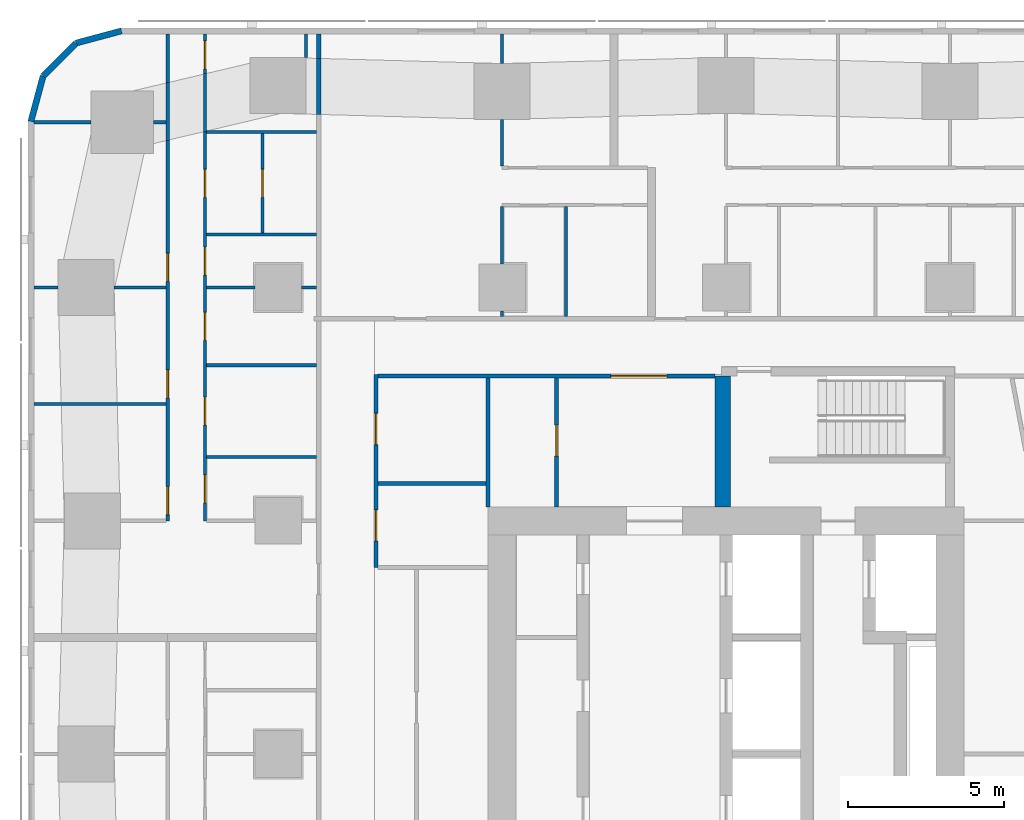
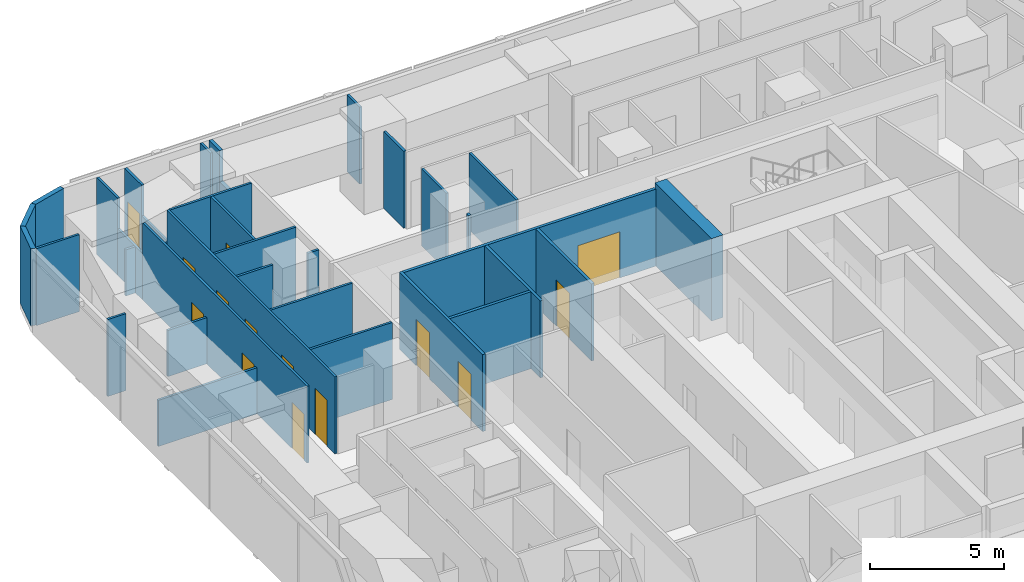
# One storey, part 9 of 15: 35 walls, 14 doors, 14 openings.
"""IFC4 building model written with IfcOpenShell, lengths in metres."""

from ifc_helpers import new_model, si_unit, direction, frame, frame_2d, origin, place, context, subcontext, project, spatial, rectangle, extrude, material, layer, layer_set, type_object, element, fill, save


model = new_model("IFC4")

# Units and contexts
model_context = context("Model", 3, precision=1e-05, world=origin(), true_north=direction((0.0, 1.0)))
body_context = subcontext(model_context, "Body", "Model", "MODEL_VIEW")
ifc_project = project(units=[si_unit("LENGTHUNIT", "METRE"), si_unit("AREAUNIT", "SQUARE_METRE"), si_unit("VOLUMEUNIT", "CUBIC_METRE"), si_unit("PLANEANGLEUNIT", "RADIAN"), si_unit("MASSUNIT", "GRAM", prefix="KILO")], contexts=[model_context])

# Site, building, storey
site_placement = place(None, origin())
site = spatial("IfcSite", under=ifc_project, at=site_placement, CompositionType="ELEMENT")
building_placement = place(site_placement, origin())
building = spatial("IfcBuilding", under=site, at=building_placement, Name="Sheger Commons Tower", CompositionType="ELEMENT")
storey_placement = place(building_placement, frame((0.0, 0.0, 162.050048828125)))
storey = spatial("IfcBuildingStorey", under=building, at=storey_placement, Name="L41", CompositionType="ELEMENT", Elevation=162.050048828125)

# Walls
ifc_material_1 = material(Name="Hollow concrete block masonry, skimmed both sides", Category="masonry")
ifc_layer_1 = layer(ifc_material_1, 0.14990234375)
ifc_layer_set_1 = layer_set([ifc_layer_1], Name="CORRIDOR WALL 150")
wall_type_1 = type_object("IfcWallType", Name="CORRIDOR WALL 150", PredefinedType="SOLIDWALL", material=ifc_layer_set_1)
wall_1_placement = place(storey_placement, frame((8.5, 43.06103515625, 0.0), z_axis=(0.0, 0.0, 1.0), x_axis=(0.0, 1.0, 0.0)))
element("IfcWall", 1, at=wall_1_placement, inside=storey, type_object=wall_type_1, Name="Corridor wall L41", PredefinedType="SOLIDWALL", context=body_context, shape_type="SweptSolid", body=[
    extrude(rectangle(XDim=1.804931640625, YDim=0.14990234375, at=frame_2d((0.90234375, 0.0))), origin(), (0.0, 0.0, 1.0), 2.099853515625),
])
wall_2_placement = place(storey_placement, frame((8.5, 44.865966796875, 0.0), z_axis=(0.0, 0.0, 1.0), x_axis=(0.0, 1.0, 0.0)))
element("IfcWall", 2, at=wall_2_placement, inside=storey, type_object=wall_type_1, Name="Corridor wall L41", PredefinedType="SOLIDWALL", context=body_context, shape_type="SweptSolid", body=[
    extrude(rectangle(XDim=0.783935546875, YDim=0.14990234375, at=frame_2d((0.39208984375, 0.0))), origin(), (0.0, 0.0, 1.0), 3.5),
])
ifc_material_2 = material(Name="Rendered concrete block masonry, dark grey", Category="masonry")
ifc_layer_2 = layer(ifc_material_2, 0.199951171875)
ifc_layer_set_2 = layer_set([ifc_layer_2], Name="FACADE WALL 200")
wall_type_2 = type_object("IfcWallType", Name="FACADE WALL 200", PredefinedType="SOLIDWALL", material=ifc_layer_set_2)
wall_3_placement = place(storey_placement, frame((2.1630859375, 45.75, 0.0), z_axis=(0.0, 0.0, 1.0), x_axis=(-0.965832000415, -0.259168954497, 0.0)))
element("IfcWall", 3, at=wall_3_placement, inside=storey, type_object=wall_type_2, Name="Facade wall L41", PredefinedType="SOLIDWALL", context=body_context, shape_type="SweptSolid", body=[
    extrude(rectangle(XDim=1.512939453125, YDim=0.199951171875, at=frame_2d((0.75634765625, 0.0))), origin(), (0.0, 0.0, 1.0), 3.5),
])
wall_4_placement = place(storey_placement, frame((0.701904296875, 45.35791015625, 0.0), z_axis=(0.0, 0.0, 1.0), x_axis=(-0.707106781187, -0.707106781187, 0.0)))
element("IfcWall", 4, at=wall_4_placement, inside=storey, type_object=wall_type_2, Name="Facade wall L41", PredefinedType="SOLIDWALL", context=body_context, shape_type="SweptSolid", body=[
    extrude(rectangle(XDim=1.498779296875, YDim=0.199951171875, at=frame_2d((0.74951171875, 0.0))), origin(), (0.0, 0.0, 1.0), 3.5),
])
wall_5_placement = place(storey_placement, frame((-0.35791015625, 44.298095703125, 0.0), z_axis=(0.0, 0.0, 1.0), x_axis=(-0.259168954497, -0.965832000415, 0.0)))
element("IfcWall", 5, at=wall_5_placement, inside=storey, type_object=wall_type_2, Name="Facade wall L41", PredefinedType="SOLIDWALL", context=body_context, shape_type="SweptSolid", body=[
    extrude(rectangle(XDim=1.512939453125, YDim=0.199951171875, at=frame_2d((0.75634765625, 0.0))), origin(), (0.0, 0.0, 1.0), 3.5),
])
ifc_material_3 = material(Name="Gypsum board on steel studs", Category="steel")
ifc_layer_3 = layer(ifc_material_3, 0.10009765625)
ifc_layer_set_3 = layer_set([ifc_layer_3], Name="PARTITION 100")
wall_type_3 = type_object("IfcWallType", Name="PARTITION 100", PredefinedType="PARTITIONING", material=ifc_layer_set_3)
wall_6_placement = place(storey_placement, frame((8.10009765625, 45.64990234375, 0.0), z_axis=(0.0, 0.0, 1.0), x_axis=(0.0, -1.0, 0.0)))
element("IfcWall", 6, at=wall_6_placement, inside=storey, type_object=wall_type_3, Name="Partition L41", PredefinedType="PARTITIONING", context=body_context, shape_type="SweptSolid", body=[
    extrude(rectangle(XDim=0.7490234375, YDim=0.10009765625, at=frame_2d((0.37451171875, 0.0))), origin(), (0.0, 0.0, 1.0), 3.5),
])

# Wall, openings, doors
wall_7_placement = place(storey_placement, frame((3.64990234375, 30.0, 0.0), z_axis=(0.0, 0.0, 1.0), x_axis=(0.0, 1.0, 0.0)))
wall_7 = element("IfcWall", 7, at=wall_7_placement, inside=storey, type_object=wall_type_3, Name="Partition L41", PredefinedType="PARTITIONING", context=body_context, shape_type="SweptSolid", body=[
    extrude(rectangle(XDim=12.22412109375, YDim=0.10009765625, at=frame_2d((6.112060546875, 0.0))), origin(), (0.0, 0.0, 1.0), 3.5),
])
opening_1_placement = place(wall_7_placement, frame((0.199951171875, 0.0, 0.0)))
opening_1 = element("IfcOpeningElement", 8, at=opening_1_placement, cuts=wall_7, Name="Opening D2", PredefinedType="OPENING", context=body_context, shape_type="SweptSolid", body=[
    extrude(rectangle(XDim=0.89990234375, YDim=2.10009765625, at=frame_2d((0.449951171875, 1.050048828125))), frame((0.0, 0.06005859375, 0.0), z_axis=(0.0, -1.0, 0.0), x_axis=(1.0, 0.0, 0.0)), (0.0, 0.0, 1.0), 0.1201171875),
])
opening_2_placement = place(wall_7_placement, frame((3.949951171875, 0.0, 0.0)))
opening_2 = element("IfcOpeningElement", 9, at=opening_2_placement, cuts=wall_7, Name="Opening D2", PredefinedType="OPENING", context=body_context, shape_type="SweptSolid", body=[
    extrude(rectangle(XDim=0.89990234375, YDim=2.10009765625, at=frame_2d((0.449951171875, 1.050048828125))), frame((0.0, 0.06005859375, 0.0), z_axis=(0.0, -1.0, 0.0), x_axis=(1.0, 0.0, 0.0)), (0.0, 0.0, 1.0), 0.1201171875),
])
opening_3_placement = place(wall_7_placement, frame((7.699951171875, 0.0, 0.0)))
opening_3 = element("IfcOpeningElement", 10, at=opening_3_placement, cuts=wall_7, Name="Opening D2", PredefinedType="OPENING", context=body_context, shape_type="SweptSolid", body=[
    extrude(rectangle(XDim=0.89990234375, YDim=2.10009765625, at=frame_2d((0.449951171875, 1.050048828125))), frame((0.0, 0.06005859375, 0.0), z_axis=(0.0, -1.0, 0.0), x_axis=(1.0, 0.0, 0.0)), (0.0, 0.0, 1.0), 0.1201171875),
])
ifc_material_4 = material(Name="Timber door set", Category="wood")
door_type_1 = type_object("IfcDoorType", Name="INTERNAL DOOR 900x2100", OperationType="NOTDEFINED", PredefinedType="DOOR", material=ifc_material_4)
door_1_placement = place(opening_1_placement, origin())
door_1 = element("IfcDoor", 11, at=door_1_placement, inside=storey, type_object=door_type_1, Name="Main bedroom door", OperationType="SINGLE_SWING_LEFT", OverallHeight=2.10009765625, OverallWidth=0.89990234375, PredefinedType="DOOR", context=body_context, shape_type="SweptSolid", body=[
    extrude(rectangle(XDim=0.89990234375, YDim=2.10009765625, at=frame_2d((0.449951171875, 1.050048828125))), frame((0.0, 0.02490234375, 0.0), z_axis=(0.0, -1.0, 0.0), x_axis=(1.0, 0.0, 0.0)), (0.0, 0.0, 1.0), 0.050048828125),
])
fill(opening_1, door_1)
door_2_placement = place(opening_2_placement, origin())
door_2 = element("IfcDoor", 12, at=door_2_placement, inside=storey, type_object=door_type_1, Name="Bedroom 2 door", OperationType="SINGLE_SWING_LEFT", OverallHeight=2.10009765625, OverallWidth=0.89990234375, PredefinedType="DOOR", context=body_context, shape_type="SweptSolid", body=[
    extrude(rectangle(XDim=0.89990234375, YDim=2.10009765625, at=frame_2d((0.449951171875, 1.050048828125))), frame((0.0, 0.02490234375, 0.0), z_axis=(0.0, -1.0, 0.0), x_axis=(1.0, 0.0, 0.0)), (0.0, 0.0, 1.0), 0.050048828125),
])
fill(opening_2, door_2)
door_3_placement = place(opening_3_placement, origin())
door_3 = element("IfcDoor", 13, at=door_3_placement, inside=storey, type_object=door_type_1, Name="Bedroom 3 door", OperationType="SINGLE_SWING_LEFT", OverallHeight=2.10009765625, OverallWidth=0.89990234375, PredefinedType="DOOR", context=body_context, shape_type="SweptSolid", body=[
    extrude(rectangle(XDim=0.89990234375, YDim=2.10009765625, at=frame_2d((0.449951171875, 1.050048828125))), frame((0.0, 0.02490234375, 0.0), z_axis=(0.0, -1.0, 0.0), x_axis=(1.0, 0.0, 0.0)), (0.0, 0.0, 1.0), 0.050048828125),
])
fill(opening_3, door_3)

# Walls
wall_8_placement = place(storey_placement, frame((3.64990234375, 42.22412109375, 0.0), z_axis=(0.0, 0.0, 1.0), x_axis=(0.0, 1.0, 0.0)))
element("IfcWall", 14, at=wall_8_placement, inside=storey, type_object=wall_type_3, Name="Partition L41", PredefinedType="PARTITIONING", context=body_context, shape_type="SweptSolid", body=[
    extrude(rectangle(XDim=1.872802734375, YDim=0.10009765625, at=frame_2d((0.9365234375, 0.0))), origin(), (0.0, 0.0, 1.0), 2.099853515625),
])
wall_9_placement = place(storey_placement, frame((3.64990234375, 44.096923828125, 0.0), z_axis=(0.0, 0.0, 1.0), x_axis=(0.0, 1.0, 0.0)))
element("IfcWall", 15, at=wall_9_placement, inside=storey, type_object=wall_type_3, Name="Partition L41", PredefinedType="PARTITIONING", context=body_context, shape_type="SweptSolid", body=[
    extrude(rectangle(XDim=1.552978515625, YDim=0.10009765625, at=frame_2d((0.7763671875, 0.0))), origin(), (0.0, 0.0, 1.0), 3.5),
])

# Wall, openings, doors
wall_10_placement = place(storey_placement, frame((4.85009765625, 30.0, 0.0), z_axis=(0.0, 0.0, 1.0), x_axis=(0.0, 1.0, 0.0)))
wall_10 = element("IfcWall", 16, at=wall_10_placement, inside=storey, type_object=wall_type_3, Name="Partition L41", PredefinedType="PARTITIONING", context=body_context, shape_type="SweptSolid", body=[
    extrude(rectangle(XDim=12.507080078125, YDim=0.10009765625, at=frame_2d((6.25341796875, 0.0))), origin(), (0.0, 0.0, 1.0), 3.5),
])
opening_4_placement = place(wall_10_placement, frame((0.574951171875, 0.0, 0.0)))
opening_4 = element("IfcOpeningElement", 17, at=opening_4_placement, cuts=wall_10, Name="Opening D2", PredefinedType="OPENING", context=body_context, shape_type="SweptSolid", body=[
    extrude(rectangle(XDim=0.89990234375, YDim=2.10009765625, at=frame_2d((0.449951171875, 1.050048828125))), frame((0.0, 0.06005859375, 0.0), z_axis=(0.0, -1.0, 0.0), x_axis=(1.0, 0.0, 0.0)), (0.0, 0.0, 1.0), 0.1201171875),
])
opening_5_placement = place(wall_10_placement, frame((5.799072265625, 0.0, 0.0)))
opening_5 = element("IfcOpeningElement", 18, at=opening_5_placement, cuts=wall_10, Name="Opening D2", PredefinedType="OPENING", context=body_context, shape_type="SweptSolid", body=[
    extrude(rectangle(XDim=0.89990234375, YDim=2.10009765625, at=frame_2d((0.449951171875, 1.050048828125))), frame((0.0, 0.06005859375, 0.0), z_axis=(0.0, -1.0, 0.0), x_axis=(1.0, 0.0, 0.0)), (0.0, 0.0, 1.0), 0.1201171875),
])
opening_6_placement = place(wall_10_placement, frame((7.89990234375, 0.0, 0.0)))
opening_6 = element("IfcOpeningElement", 19, at=opening_6_placement, cuts=wall_10, Name="Opening D2", PredefinedType="OPENING", context=body_context, shape_type="SweptSolid", body=[
    extrude(rectangle(XDim=0.89990234375, YDim=2.10009765625, at=frame_2d((0.449951171875, 1.050048828125))), frame((0.0, 0.06005859375, 0.0), z_axis=(0.0, -1.0, 0.0), x_axis=(1.0, 0.0, 0.0)), (0.0, 0.0, 1.0), 0.1201171875),
])
opening_7_placement = place(wall_10_placement, frame((3.074951171875, 0.0, 0.0)))
opening_7 = element("IfcOpeningElement", 20, at=opening_7_placement, cuts=wall_10, Name="Opening D2", PredefinedType="OPENING", context=body_context, shape_type="SweptSolid", body=[
    extrude(rectangle(XDim=0.89990234375, YDim=2.10009765625, at=frame_2d((0.449951171875, 1.050048828125))), frame((0.0, 0.06005859375, 0.0), z_axis=(0.0, -1.0, 0.0), x_axis=(1.0, 0.0, 0.0)), (0.0, 0.0, 1.0), 0.1201171875),
])
opening_8_placement = place(wall_10_placement, frame((10.39990234375, 0.0, 0.0)))
opening_8 = element("IfcOpeningElement", 21, at=opening_8_placement, cuts=wall_10, Name="Opening D2", PredefinedType="OPENING", context=body_context, shape_type="SweptSolid", body=[
    extrude(rectangle(XDim=0.89990234375, YDim=2.10009765625, at=frame_2d((0.449951171875, 1.050048828125))), frame((0.0, 0.06005859375, 0.0), z_axis=(0.0, -1.0, 0.0), x_axis=(1.0, 0.0, 0.0)), (0.0, 0.0, 1.0), 0.1201171875),
])
door_4_placement = place(opening_4_placement, origin())
door_4 = element("IfcDoor", 22, at=door_4_placement, inside=storey, type_object=door_type_1, Name="Bathroom door", OperationType="SINGLE_SWING_RIGHT", OverallHeight=2.10009765625, OverallWidth=0.89990234375, PredefinedType="DOOR", context=body_context, shape_type="SweptSolid", body=[
    extrude(rectangle(XDim=0.89990234375, YDim=2.10009765625, at=frame_2d((0.449951171875, 1.050048828125))), frame((0.0, 0.02490234375, 0.0), z_axis=(0.0, -1.0, 0.0), x_axis=(1.0, 0.0, 0.0)), (0.0, 0.0, 1.0), 0.050048828125),
])
fill(opening_4, door_4)
door_5_placement = place(opening_5_placement, origin())
door_5 = element("IfcDoor", 23, at=door_5_placement, inside=storey, type_object=door_type_1, Name="Store and laundry door", OperationType="SINGLE_SWING_RIGHT", OverallHeight=2.10009765625, OverallWidth=0.89990234375, PredefinedType="DOOR", context=body_context, shape_type="SweptSolid", body=[
    extrude(rectangle(XDim=0.89990234375, YDim=2.10009765625, at=frame_2d((0.449951171875, 1.050048828125))), frame((0.0, 0.02490234375, 0.0), z_axis=(0.0, -1.0, 0.0), x_axis=(1.0, 0.0, 0.0)), (0.0, 0.0, 1.0), 0.050048828125),
])
fill(opening_5, door_5)
door_6_placement = place(opening_6_placement, origin())
door_6 = element("IfcDoor", 24, at=door_6_placement, inside=storey, type_object=door_type_1, Name="Laundry room door", OperationType="SINGLE_SWING_RIGHT", OverallHeight=2.10009765625, OverallWidth=0.89990234375, PredefinedType="DOOR", context=body_context, shape_type="SweptSolid", body=[
    extrude(rectangle(XDim=0.89990234375, YDim=2.10009765625, at=frame_2d((0.449951171875, 1.050048828125))), frame((0.0, 0.02490234375, 0.0), z_axis=(0.0, -1.0, 0.0), x_axis=(1.0, 0.0, 0.0)), (0.0, 0.0, 1.0), 0.050048828125),
])
fill(opening_6, door_6)
door_7_placement = place(opening_7_placement, origin())
door_7 = element("IfcDoor", 25, at=door_7_placement, inside=storey, type_object=door_type_1, Name="Store door", OperationType="SINGLE_SWING_LEFT", OverallHeight=2.10009765625, OverallWidth=0.89990234375, PredefinedType="DOOR", context=body_context, shape_type="SweptSolid", body=[
    extrude(rectangle(XDim=0.89990234375, YDim=2.10009765625, at=frame_2d((0.449951171875, 1.050048828125))), frame((0.0, 0.02490234375, 0.0), z_axis=(0.0, -1.0, 0.0), x_axis=(1.0, 0.0, 0.0)), (0.0, 0.0, 1.0), 0.050048828125),
])
fill(opening_7, door_7)
door_8_placement = place(opening_8_placement, origin())
door_8 = element("IfcDoor", 26, at=door_8_placement, inside=storey, type_object=door_type_1, Name="Store door", OperationType="SINGLE_SWING_LEFT", OverallHeight=2.10009765625, OverallWidth=0.89990234375, PredefinedType="DOOR", context=body_context, shape_type="SweptSolid", body=[
    extrude(rectangle(XDim=0.89990234375, YDim=2.10009765625, at=frame_2d((0.449951171875, 1.050048828125))), frame((0.0, 0.02490234375, 0.0), z_axis=(0.0, -1.0, 0.0), x_axis=(1.0, 0.0, 0.0)), (0.0, 0.0, 1.0), 0.050048828125),
])
fill(opening_8, door_8)

# Wall
wall_11_placement = place(storey_placement, frame((4.85009765625, 42.507080078125, 0.0), z_axis=(0.0, 0.0, 1.0), x_axis=(0.0, 1.0, 0.0)))
element("IfcWall", 27, at=wall_11_placement, inside=storey, type_object=wall_type_3, Name="Partition L41", PredefinedType="PARTITIONING", context=body_context, shape_type="SweptSolid", body=[
    extrude(rectangle(XDim=1.8740234375, YDim=0.10009765625, at=frame_2d((0.93701171875, 0.0))), origin(), (0.0, 0.0, 1.0), 2.099853515625),
])

# Wall, opening, door
wall_12_placement = place(storey_placement, frame((4.85009765625, 44.381103515625, 0.0), z_axis=(0.0, 0.0, 1.0), x_axis=(0.0, 1.0, 0.0)))
wall_12 = element("IfcWall", 28, at=wall_12_placement, inside=storey, type_object=wall_type_3, Name="Partition L41", PredefinedType="PARTITIONING", context=body_context, shape_type="SweptSolid", body=[
    extrude(rectangle(XDim=1.268798828125, YDim=0.10009765625, at=frame_2d((0.63427734375, 0.0))), origin(), (0.0, 0.0, 1.0), 3.5),
])
opening_9_placement = place(wall_12_placement, frame((0.14990234375, 0.0, 0.0)))
opening_9 = element("IfcOpeningElement", 29, at=opening_9_placement, cuts=wall_12, Name="Opening D2", PredefinedType="OPENING", context=body_context, shape_type="SweptSolid", body=[
    extrude(rectangle(XDim=0.89990234375, YDim=2.10009765625, at=frame_2d((0.449951171875, 1.050048828125))), frame((0.0, 0.06005859375, 0.0), z_axis=(0.0, -1.0, 0.0), x_axis=(1.0, 0.0, 0.0)), (0.0, 0.0, 1.0), 0.1201171875),
])
door_9_placement = place(opening_9_placement, origin())
door_9 = element("IfcDoor", 30, at=door_9_placement, inside=storey, type_object=door_type_1, Name="Store and laundry door", OperationType="SINGLE_SWING_RIGHT", OverallHeight=2.10009765625, OverallWidth=0.89990234375, PredefinedType="DOOR", context=body_context, shape_type="SweptSolid", body=[
    extrude(rectangle(XDim=0.89990234375, YDim=2.10009765625, at=frame_2d((0.449951171875, 1.050048828125))), frame((0.0, 0.02490234375, 0.0), z_axis=(0.0, -1.0, 0.0), x_axis=(1.0, 0.0, 0.0)), (0.0, 0.0, 1.0), 0.050048828125),
])
fill(opening_9, door_9)

# Walls
wall_13_placement = place(storey_placement, frame((-0.64990234375, 33.75, 0.0), z_axis=(0.0, 0.0, 1.0), x_axis=(1.0, 0.0, 0.0)))
element("IfcWall", 31, at=wall_13_placement, inside=storey, type_object=wall_type_3, Name="Partition L41", PredefinedType="PARTITIONING", context=body_context, shape_type="SweptSolid", body=[
    extrude(rectangle(XDim=4.25, YDim=0.10009765625, at=frame_2d((2.125, 0.0))), origin(), (0.0, 0.0, 1.0), 2.099853515625),
])
wall_14_placement = place(storey_placement, frame((-0.64990234375, 37.5, 0.0), z_axis=(0.0, 0.0, 1.0), x_axis=(1.0, 0.0, 0.0)))
element("IfcWall", 32, at=wall_14_placement, inside=storey, type_object=wall_type_3, Name="Partition L41", PredefinedType="PARTITIONING", context=body_context, shape_type="SweptSolid", body=[
    extrude(rectangle(XDim=0.77392578125, YDim=0.10009765625, at=frame_2d((0.386962890625, 0.0))), origin(), (0.0, 0.0, 1.0), 3.5),
])
wall_15_placement = place(storey_placement, frame((1.926025390625, 37.5, 0.0), z_axis=(0.0, 0.0, 1.0), x_axis=(1.0, 0.0, 0.0)))
element("IfcWall", 33, at=wall_15_placement, inside=storey, type_object=wall_type_3, Name="Partition L41", PredefinedType="PARTITIONING", context=body_context, shape_type="SweptSolid", body=[
    extrude(rectangle(XDim=1.674072265625, YDim=0.10009765625, at=frame_2d((0.8369140625, 0.0))), origin(), (0.0, 0.0, 1.0), 2.099853515625),
])
wall_16_placement = place(storey_placement, frame((-0.64990234375, 42.81396484375, 0.0), z_axis=(0.0, 0.0, 1.0), x_axis=(1.0, 0.0, 0.0)))
element("IfcWall", 34, at=wall_16_placement, inside=storey, type_object=wall_type_3, Name="Partition L41", PredefinedType="PARTITIONING", context=body_context, shape_type="SweptSolid", body=[
    extrude(rectangle(XDim=1.8349609375, YDim=0.10009765625, at=frame_2d((0.91748046875, 0.0))), origin(), (0.0, 0.0, 1.0), 3.5),
])
wall_17_placement = place(storey_placement, frame((3.18701171875, 42.81396484375, 0.0), z_axis=(0.0, 0.0, 1.0), x_axis=(1.0, 0.0, 0.0)))
element("IfcWall", 35, at=wall_17_placement, inside=storey, type_object=wall_type_3, Name="Partition L41", PredefinedType="PARTITIONING", context=body_context, shape_type="SweptSolid", body=[
    extrude(rectangle(XDim=0.4130859375, YDim=0.10009765625, at=frame_2d((0.20654296875, 0.0))), origin(), (0.0, 0.0, 1.0), 2.099853515625),
])
wall_18_placement = place(storey_placement, frame((4.89990234375, 34.9990234375, 0.0), z_axis=(0.0, 0.0, 1.0), x_axis=(1.0, 0.0, 0.0)))
element("IfcWall", 36, at=wall_18_placement, inside=storey, type_object=wall_type_3, Name="Partition L41", PredefinedType="PARTITIONING", context=body_context, shape_type="SweptSolid", body=[
    extrude(rectangle(XDim=3.525146484375, YDim=0.10009765625, at=frame_2d((1.7626953125, 0.0))), origin(), (0.0, 0.0, 1.0), 3.5),
])
wall_19_placement = place(storey_placement, frame((4.89990234375, 37.5, 0.0), z_axis=(0.0, 0.0, 1.0), x_axis=(1.0, 0.0, 0.0)))
element("IfcWall", 37, at=wall_19_placement, inside=storey, type_object=wall_type_3, Name="Partition L41", PredefinedType="PARTITIONING", context=body_context, shape_type="SweptSolid", body=[
    extrude(rectangle(XDim=1.549072265625, YDim=0.10009765625, at=frame_2d((0.7744140625, 0.0))), origin(), (0.0, 0.0, 1.0), 3.5),
])
wall_20_placement = place(storey_placement, frame((7.950927734375, 37.5, 0.0), z_axis=(0.0, 0.0, 1.0), x_axis=(1.0, 0.0, 0.0)))
element("IfcWall", 38, at=wall_20_placement, inside=storey, type_object=wall_type_3, Name="Partition L41", PredefinedType="PARTITIONING", context=body_context, shape_type="SweptSolid", body=[
    extrude(rectangle(XDim=0.47412109375, YDim=0.10009765625, at=frame_2d((0.237060546875, 0.0))), origin(), (0.0, 0.0, 1.0), 3.5),
])
for number, where, z_axis, x_axis, name in (
    (39, (4.89990234375, 42.4990234375, 0.0), (0.0, 0.0, 1.0), (1.0, 0.0, 0.0), "Partition L41"),
    (40, (4.89990234375, 32.050048828125, 0.0), (0.0, 0.0, 1.0), (1.0, 0.0, 0.0), "Partition L41"),
    (41, (4.89990234375, 39.199951171875, 0.0), (0.0, 0.0, 1.0), (1.0, 0.0, 0.0), "Partition L41"),
):
    element("IfcWall", number, at=place(storey_placement, frame(where, z_axis=z_axis, x_axis=x_axis)), inside=storey, type_object=wall_type_3, Name=name, PredefinedType="PARTITIONING", context=body_context, shape_type="SweptSolid", body=[
        extrude(rectangle(XDim=3.525146484375, YDim=0.10009765625, at=frame_2d((1.7626953125, 0.0))), origin(), (0.0, 0.0, 1.0), 3.5),
    ])
wall_21_placement = place(storey_placement, frame((14.39990234375, 41.39990234375, 0.0), z_axis=(0.0, 0.0, 1.0), x_axis=(0.0, 1.0, 0.0)))
element("IfcWall", 42, at=wall_21_placement, inside=storey, type_object=wall_type_3, Name="Partition L41", PredefinedType="PARTITIONING", context=body_context, shape_type="SweptSolid", body=[
    extrude(rectangle(XDim=1.4990234375, YDim=0.10009765625, at=frame_2d((0.74951171875, 0.0))), origin(), (0.0, 0.0, 1.0), 3.5),
])
wall_22_placement = place(storey_placement, frame((14.39990234375, 44.700927734375, 0.0), z_axis=(0.0, 0.0, 1.0), x_axis=(0.0, 1.0, 0.0)))
element("IfcWall", 43, at=wall_22_placement, inside=storey, type_object=wall_type_3, Name="Partition L41", PredefinedType="PARTITIONING", context=body_context, shape_type="SweptSolid", body=[
    extrude(rectangle(XDim=0.948974609375, YDim=0.10009765625, at=frame_2d((0.474609375, 0.0))), origin(), (0.0, 0.0, 1.0), 3.5),
])
wall_23_placement = place(storey_placement, frame((14.39990234375, 36.574951171875, 0.0), z_axis=(0.0, 0.0, 1.0), x_axis=(0.0, 1.0, 0.0)))
element("IfcWall", 44, at=wall_23_placement, inside=storey, type_object=wall_type_3, Name="Partition L41", PredefinedType="PARTITIONING", context=body_context, shape_type="SweptSolid", body=[
    extrude(rectangle(XDim=0.174072265625, YDim=0.10009765625, at=frame_2d((0.0869140625, 0.0))), origin(), (0.0, 0.0, 1.0), 3.5),
])
wall_24_placement = place(storey_placement, frame((14.39990234375, 38.2509765625, 0.0), z_axis=(0.0, 0.0, 1.0), x_axis=(0.0, 1.0, 0.0)))
element("IfcWall", 45, at=wall_24_placement, inside=storey, type_object=wall_type_3, Name="Partition L41", PredefinedType="PARTITIONING", context=body_context, shape_type="SweptSolid", body=[
    extrude(rectangle(XDim=1.84912109375, YDim=0.10009765625, at=frame_2d((0.924560546875, 0.0))), origin(), (0.0, 0.0, 1.0), 3.5),
])
wall_25_placement = place(storey_placement, frame((16.449951171875, 36.574951171875, 0.0), z_axis=(0.0, 0.0, 1.0), x_axis=(0.0, 1.0, 0.0)))
element("IfcWall", 46, at=wall_25_placement, inside=storey, type_object=wall_type_3, Name="Partition L41", PredefinedType="PARTITIONING", context=body_context, shape_type="SweptSolid", body=[
    extrude(rectangle(XDim=3.525146484375, YDim=0.10009765625, at=frame_2d((1.7626953125, 0.0))), origin(), (0.0, 0.0, 1.0), 3.5),
])

# Wall, opening, door
wall_26_placement = place(storey_placement, frame((6.699951171875, 39.25, 0.0), z_axis=(0.0, 0.0, 1.0), x_axis=(0.0, 1.0, 0.0)))
wall_26 = element("IfcWall", 47, at=wall_26_placement, inside=storey, type_object=wall_type_3, Name="Partition L41", PredefinedType="PARTITIONING", context=body_context, shape_type="SweptSolid", body=[
    extrude(rectangle(XDim=3.198974609375, YDim=0.10009765625, at=frame_2d((1.599609375, 0.0))), origin(), (0.0, 0.0, 1.0), 3.5),
])
opening_10_placement = place(wall_26_placement, frame((1.14990234375, 0.0, 0.0)))
opening_10 = element("IfcOpeningElement", 48, at=opening_10_placement, cuts=wall_26, Name="Opening D2", PredefinedType="OPENING", context=body_context, shape_type="SweptSolid", body=[
    extrude(rectangle(XDim=0.89990234375, YDim=2.10009765625, at=frame_2d((0.449951171875, 1.050048828125))), frame((0.0, 0.06005859375, 0.0), z_axis=(0.0, -1.0, 0.0), x_axis=(1.0, 0.0, 0.0)), (0.0, 0.0, 1.0), 0.1201171875),
])
door_10_placement = place(opening_10_placement, origin())
door_10 = element("IfcDoor", 49, at=door_10_placement, inside=storey, type_object=door_type_1, Name="Store door", OperationType="SINGLE_SWING_LEFT", OverallHeight=2.10009765625, OverallWidth=0.89990234375, PredefinedType="DOOR", context=body_context, shape_type="SweptSolid", body=[
    extrude(rectangle(XDim=0.89990234375, YDim=2.10009765625, at=frame_2d((0.449951171875, 1.050048828125))), frame((0.0, 0.02490234375, 0.0), z_axis=(0.0, -1.0, 0.0), x_axis=(1.0, 0.0, 0.0)), (0.0, 0.0, 1.0), 0.050048828125),
])
fill(opening_10, door_10)

# Wall, openings, doors
ifc_material_5 = material(Name="Gypsum board on steel studs, two layers each side, fire rated", Category="steel")
ifc_layer_4 = layer(ifc_material_5, 0.125)
ifc_layer_set_4 = layer_set([ifc_layer_4], Name="SERVICE WALL 125")
wall_type_4 = type_object("IfcWallType", Name="SERVICE WALL 125", PredefinedType="PARTITIONING", material=ifc_layer_set_4)
wall_27_placement = place(storey_placement, frame((10.35009765625, 28.5, 0.0), z_axis=(0.0, 0.0, 1.0), x_axis=(0.0, 1.0, 0.0)))
wall_27 = element("IfcWall", 50, at=wall_27_placement, inside=storey, type_object=wall_type_4, Name="Service room wall L41", PredefinedType="PARTITIONING", context=body_context, shape_type="SweptSolid", body=[
    extrude(rectangle(XDim=6.199951171875, YDim=0.125, at=frame_2d((3.10009765625, 0.0))), origin(), (0.0, 0.0, 1.0), 3.5),
])
opening_11_placement = place(wall_27_placement, frame((0.85009765625, 0.0, 0.0)))
opening_11 = element("IfcOpeningElement", 51, at=opening_11_placement, cuts=wall_27, Name="Opening D4", PredefinedType="OPENING", context=body_context, shape_type="SweptSolid", body=[
    extrude(rectangle(XDim=1.0, YDim=2.10009765625, at=frame_2d((0.5, 1.050048828125))), frame((0.0, 0.072509765625, 0.0), z_axis=(0.0, -1.0, 0.0), x_axis=(1.0, 0.0, 0.0)), (0.0, 0.0, 1.0), 0.14501953125),
])
opening_12_placement = place(wall_27_placement, frame((3.949951171875, 0.0, 0.0)))
opening_12 = element("IfcOpeningElement", 52, at=opening_12_placement, cuts=wall_27, Name="Opening D4", PredefinedType="OPENING", context=body_context, shape_type="SweptSolid", body=[
    extrude(rectangle(XDim=1.0, YDim=2.10009765625, at=frame_2d((0.5, 1.050048828125))), frame((0.0, 0.072509765625, 0.0), z_axis=(0.0, -1.0, 0.0), x_axis=(1.0, 0.0, 0.0)), (0.0, 0.0, 1.0), 0.14501953125),
])
ifc_material_6 = material(Name="Steel door set, fire rated", Category="steel")
door_type_2 = type_object("IfcDoorType", Name="SERVICE DOOR 1000x2100", OperationType="NOTDEFINED", PredefinedType="DOOR", material=ifc_material_6)
door_11_placement = place(opening_11_placement, origin())
door_11 = element("IfcDoor", 53, at=door_11_placement, inside=storey, type_object=door_type_2, Name="Cleaner's store door", OperationType="SINGLE_SWING_RIGHT", OverallHeight=2.10009765625, OverallWidth=1.0, PredefinedType="DOOR", context=body_context, shape_type="SweptSolid", body=[
    extrude(rectangle(XDim=1.0, YDim=2.10009765625, at=frame_2d((0.5, 1.050048828125))), frame((0.0, 0.02490234375, 0.0), z_axis=(0.0, -1.0, 0.0), x_axis=(1.0, 0.0, 0.0)), (0.0, 0.0, 1.0), 0.050048828125),
])
fill(opening_11, door_11)
door_12_placement = place(opening_12_placement, origin())
door_12 = element("IfcDoor", 54, at=door_12_placement, inside=storey, type_object=door_type_2, Name="Linen store door", OperationType="SINGLE_SWING_LEFT", OverallHeight=2.10009765625, OverallWidth=1.0, PredefinedType="DOOR", context=body_context, shape_type="SweptSolid", body=[
    extrude(rectangle(XDim=1.0, YDim=2.10009765625, at=frame_2d((0.5, 1.050048828125))), frame((0.0, 0.02490234375, 0.0), z_axis=(0.0, -1.0, 0.0), x_axis=(1.0, 0.0, 0.0)), (0.0, 0.0, 1.0), 0.050048828125),
])
fill(opening_12, door_12)

# Walls
wall_28_placement = place(storey_placement, frame((10.4130859375, 31.199951171875, 0.0), z_axis=(0.0, 0.0, 1.0), x_axis=(1.0, 0.0, 0.0)))
element("IfcWall", 55, at=wall_28_placement, inside=storey, type_object=wall_type_4, Name="Service room wall L41", PredefinedType="PARTITIONING", context=body_context, shape_type="SweptSolid", body=[
    extrude(rectangle(XDim=3.474853515625, YDim=0.125, at=frame_2d((1.7373046875, 0.0))), origin(), (0.0, 0.0, 1.0), 3.5),
])
wall_29_placement = place(storey_placement, frame((13.949951171875, 30.449951171875, 0.0), z_axis=(0.0, 0.0, 1.0), x_axis=(0.0, 1.0, 0.0)))
element("IfcWall", 56, at=wall_29_placement, inside=storey, type_object=wall_type_4, Name="Service room wall L41", PredefinedType="PARTITIONING", context=body_context, shape_type="SweptSolid", body=[
    extrude(rectangle(XDim=4.136962890625, YDim=0.125, at=frame_2d((2.068359375, 0.0))), origin(), (0.0, 0.0, 1.0), 3.5),
])

# Wall, opening, door
wall_30_placement = place(storey_placement, frame((10.4130859375, 34.64990234375, 0.0), z_axis=(0.0, 0.0, 1.0), x_axis=(1.0, 0.0, 0.0)))
wall_30 = element("IfcWall", 57, at=wall_30_placement, inside=storey, type_object=wall_type_4, Name="Service room wall L41", PredefinedType="PARTITIONING", context=body_context, shape_type="SweptSolid", body=[
    extrude(rectangle(XDim=10.8369140625, YDim=0.125, at=frame_2d((5.41845703125, 0.0))), origin(), (0.0, 0.0, 1.0), 3.5),
])
opening_13_placement = place(wall_30_placement, frame((7.487060546875, 0.0, 0.0)))
opening_13 = element("IfcOpeningElement", 58, at=opening_13_placement, cuts=wall_30, Name="Opening D6", PredefinedType="OPENING", context=body_context, shape_type="SweptSolid", body=[
    extrude(rectangle(XDim=1.800048828125, YDim=2.10009765625, at=frame_2d((0.89990234375, 1.050048828125))), frame((0.0, 0.072509765625, 0.0), z_axis=(0.0, -1.0, 0.0), x_axis=(1.0, 0.0, 0.0)), (0.0, 0.0, 1.0), 0.14501953125),
])
ifc_material_7 = material(Name="Steel door set, fire rated", Category="steel")
door_type_3 = type_object("IfcDoorType", Name="LOBBY DOUBLE DOOR 1800x2100", OperationType="DOUBLE_DOOR_SINGLE_SWING", PredefinedType="DOOR", material=ifc_material_7)
door_13_placement = place(opening_13_placement, origin())
door_13 = element("IfcDoor", 59, at=door_13_placement, inside=storey, type_object=door_type_3, Name="Lift lobby north door", OperationType="DOUBLE_DOOR_SINGLE_SWING", OverallHeight=2.10009765625, OverallWidth=1.800048828125, PredefinedType="DOOR", context=body_context, shape_type="SweptSolid", body=[
    extrude(rectangle(XDim=1.800048828125, YDim=2.10009765625, at=frame_2d((0.89990234375, 1.050048828125))), frame((0.0, 0.02490234375, 0.0), z_axis=(0.0, -1.0, 0.0), x_axis=(1.0, 0.0, 0.0)), (0.0, 0.0, 1.0), 0.050048828125),
])
fill(opening_13, door_13)

wall_31_placement = place(storey_placement, frame((16.14990234375, 30.449951171875, 0.0), z_axis=(0.0, 0.0, 1.0), x_axis=(0.0, 1.0, 0.0)))
wall_31 = element("IfcWall", 60, at=wall_31_placement, inside=storey, type_object=wall_type_4, Name="Service room wall L41", PredefinedType="PARTITIONING", context=body_context, shape_type="SweptSolid", body=[
    extrude(rectangle(XDim=4.136962890625, YDim=0.125, at=frame_2d((2.068359375, 0.0))), origin(), (0.0, 0.0, 1.0), 3.5),
])
opening_14_placement = place(wall_31_placement, frame((1.625, 0.0, 0.0)))
opening_14 = element("IfcOpeningElement", 61, at=opening_14_placement, cuts=wall_31, Name="Opening D4", PredefinedType="OPENING", context=body_context, shape_type="SweptSolid", body=[
    extrude(rectangle(XDim=1.0, YDim=2.10009765625, at=frame_2d((0.5, 1.050048828125))), frame((0.0, 0.072509765625, 0.0), z_axis=(0.0, -1.0, 0.0), x_axis=(1.0, 0.0, 0.0)), (0.0, 0.0, 1.0), 0.14501953125),
])
door_14_placement = place(opening_14_placement, origin())
door_14 = element("IfcDoor", 62, at=door_14_placement, inside=storey, type_object=door_type_2, Name="Telecom room door", OperationType="SINGLE_SWING_RIGHT", OverallHeight=2.10009765625, OverallWidth=1.0, PredefinedType="DOOR", context=body_context, shape_type="SweptSolid", body=[
    extrude(rectangle(XDim=1.0, YDim=2.10009765625, at=frame_2d((0.5, 1.050048828125))), frame((0.0, 0.02490234375, 0.0), z_axis=(0.0, -1.0, 0.0), x_axis=(1.0, 0.0, 0.0)), (0.0, 0.0, 1.0), 0.050048828125),
])
fill(opening_14, door_14)

# Wall
ifc_material_8 = material(Name="Concrete C50/60", Category="concrete")
ifc_layer_5 = layer(ifc_material_8, 0.5)
ifc_layer_set_5 = layer_set([ifc_layer_5], Name="STAIR CORE WALL 500")
wall_type_5 = type_object("IfcWallType", Name="STAIR CORE WALL 500", PredefinedType="SHEAR", material=ifc_layer_set_5)
wall_32_placement = place(storey_placement, frame((21.5, 30.449951171875, 0.0), z_axis=(0.0, 0.0, 1.0), x_axis=(0.0, 1.0, 0.0)))
element("IfcWall", 63, at=wall_32_placement, inside=storey, type_object=wall_type_5, Name="STW-L41-S2W", PredefinedType="SHEAR", context=body_context, shape_type="SweptSolid", body=[
    extrude(rectangle(XDim=4.199951171875, YDim=0.5, at=frame_2d((2.10009765625, 0.0))), origin(), (0.0, 0.0, 1.0), 3.75),
])

save(model, "model.ifc")
